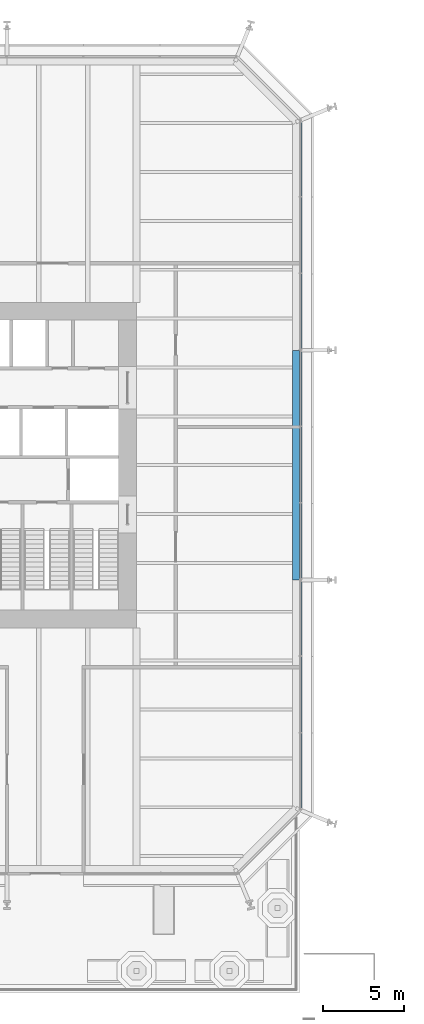
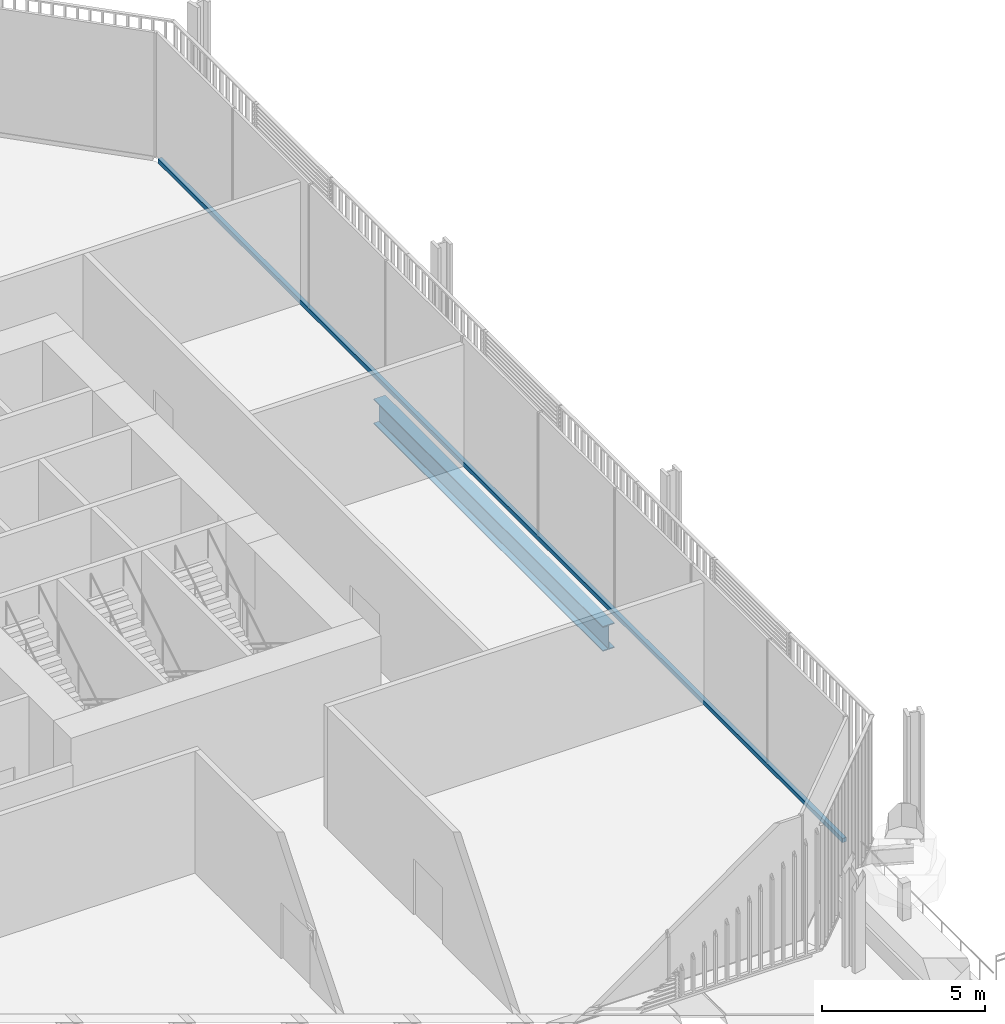
# One storey, part 12 of 21: 1 beam, 1 member, 1 element without a shape of its own.
"""IFC4 building model written with IfcOpenShell, lengths in metres."""

from ifc_helpers import new_model, si_unit, direction, frame, origin, origin_2d, place, context, subcontext, project, spatial, rectangle, i_section, extrude, material, layer, layer_set, material_profile, profile_set, type_object, element, aggregate, save


model = new_model("IFC4")

# Units and contexts
model_context = context("Model", 3, precision=1e-05, world=origin(), true_north=direction((0.0, 1.0)))
body_context = subcontext(model_context, "Body", "Model", "MODEL_VIEW")
ifc_project = project(units=[si_unit("LENGTHUNIT", "METRE"), si_unit("AREAUNIT", "SQUARE_METRE"), si_unit("VOLUMEUNIT", "CUBIC_METRE"), si_unit("PLANEANGLEUNIT", "RADIAN"), si_unit("MASSUNIT", "GRAM", prefix="KILO")], contexts=[model_context])

# Site, building, storey
site_placement = place(None, origin())
site = spatial("IfcSite", under=ifc_project, at=site_placement, CompositionType="ELEMENT")
building_placement = place(site_placement, origin())
building = spatial("IfcBuilding", under=site, at=building_placement, Name="Millrace Tower", CompositionType="ELEMENT")
storey_placement = place(building_placement, frame((0.0, 0.0, 16.10009765625)))
storey = spatial("IfcBuildingStorey", under=building, at=storey_placement, Name="L04", CompositionType="ELEMENT", Elevation=16.10009765625)

# Curtain wall, member
ifc_material_1 = material(Name="Aluminium and glass", Category="aluminium")
ifc_layer = layer(ifc_material_1, 0.14990234375)
ifc_layer_set = layer_set([ifc_layer], Name="Aluminium and glass")
curtain_wall_type = type_object("IfcCurtainWallType", Name="CW-2 data hall insulated curtain wall", PredefinedType="NOTDEFINED", material=ifc_layer_set)
curtain_wall_placement = place(storey_placement, origin())
curtain_wall = element("IfcCurtainWall", 1, at=curtain_wall_placement, inside=storey, type_object=curtain_wall_type, Name="Curtain wall A-F04 L04", PredefinedType="NOTDEFINED")
ifc_material_2 = material(Name="Aluminium", Category="aluminium")
ifc_material_profile_1 = material_profile(ifc_material_2, rectangle(XDim=0.14990234375, YDim=0.159912109375, at=origin_2d()))
ifc_profile_set_1 = profile_set([ifc_material_profile_1], Name="Aluminium")
member_type = type_object("IfcMemberType", Name="CW-2 data hall insulated curtain wall transom", PredefinedType="USERDEFINED", material=ifc_profile_set_1)
member_placement = place(storey_placement, frame((25.074951171875, -21.050048828125, 0.079833984375), z_axis=(0.0, 1.0, 0.0), x_axis=(-1.0, 0.0, 0.0)))
member = element("IfcMember", 2, at=member_placement, type_object=member_type, Name="CW2 transom A-F04.1", ObjectType="TRANSOM", PredefinedType="USERDEFINED", context=body_context, shape_type="SweptSolid", body=[
    extrude(rectangle(XDim=0.14990234375, YDim=0.159912109375, at=origin_2d()), origin(), (0.0, 0.0, 1.0), 42.10009765625),
])
aggregate(curtain_wall, [member])

# Beam
ifc_material_3 = material(Name="Steel ASTM A992 Grade 50", Category="steel")
ifc_material_profile_2 = material_profile(ifc_material_3, i_section(OverallWidth=0.421630859375, OverallDepth=0.937255859375, WebThickness=0.021240234375, FlangeThickness=0.03662109375, FilletRadius=0.024169921875, at=origin_2d()))
ifc_profile_set_2 = profile_set([ifc_material_profile_2], Name="Steel ASTM A992 Grade 50")
beam_type = type_object("IfcBeamType", Name="Ring beam medium span W36x262", PredefinedType="SPANDREL", material=ifc_profile_set_2)
beam_placement = place(storey_placement, frame((24.7890625, 7.050048828125, -0.69384765625), z_axis=(0.0, -1.0, 0.0), x_axis=(1.0, 0.0, 0.0)))
element("IfcBeam", 3, at=beam_placement, inside=storey, type_object=beam_type, Name="RNG-A-L04-S1-10", PredefinedType="SPANDREL", context=body_context, shape_type="SweptSolid", body=[
    extrude(i_section(OverallWidth=0.421630859375, OverallDepth=0.937255859375, WebThickness=0.021240234375, FlangeThickness=0.03662109375, FilletRadius=0.024169921875, at=origin_2d()), origin(), (0.0, 0.0, 1.0), 14.10009765625),
])

save(model, "model.ifc")
